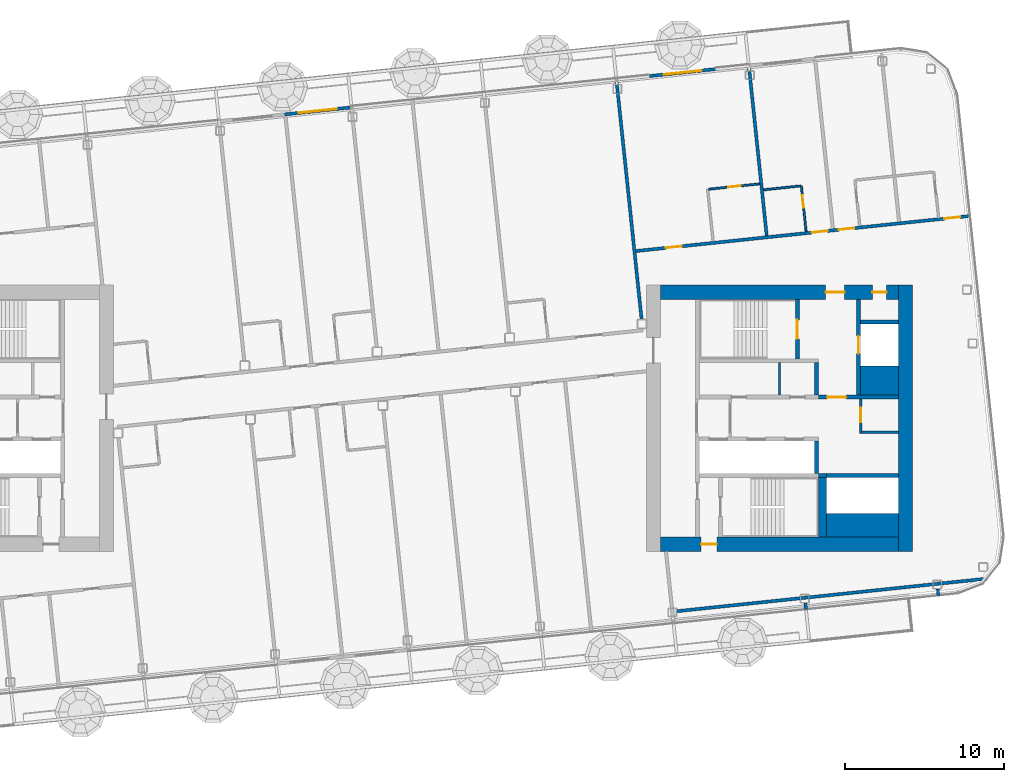
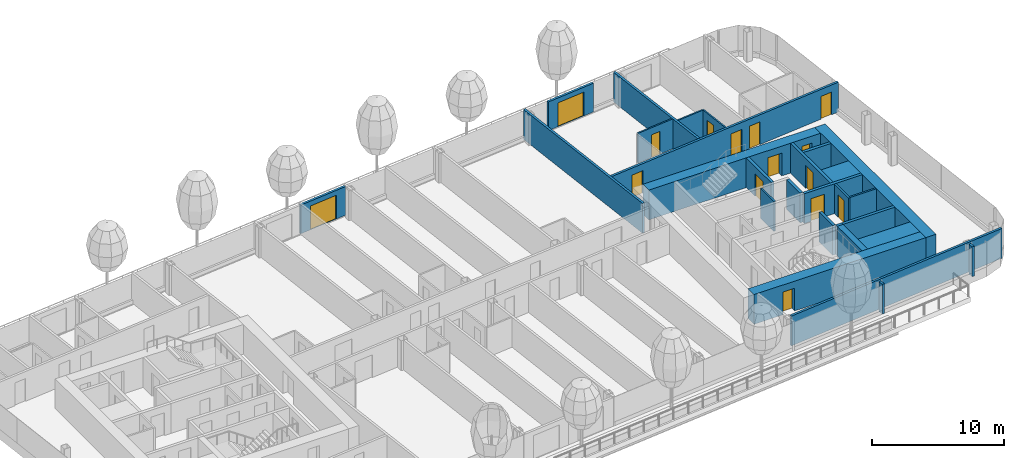
# One storey, part 16 of 30: 28 walls, 15 doors, 15 openings, 1 element without a shape of its own.
"""IFC4 building model written with IfcOpenShell, lengths in metres."""

from ifc_helpers import new_model, si_unit, direction, frame, frame_2d, origin, place, context, subcontext, project, spatial, rectangle, extrude, material, layer, layer_set, type_object, element, fill, aggregate, save


model = new_model("IFC4")

# Units and contexts
model_context = context("Model", 3, precision=1e-05, world=origin(), true_north=direction((0.0, 1.0)))
body_context = subcontext(model_context, "Body", "Model", "MODEL_VIEW")
ifc_project = project(units=[si_unit("LENGTHUNIT", "METRE"), si_unit("AREAUNIT", "SQUARE_METRE"), si_unit("VOLUMEUNIT", "CUBIC_METRE"), si_unit("PLANEANGLEUNIT", "RADIAN"), si_unit("MASSUNIT", "GRAM", prefix="KILO")], contexts=[model_context])

# Site, building, storey
site_placement = place(None, origin())
site = spatial("IfcSite", under=ifc_project, at=site_placement, CompositionType="ELEMENT")
building_placement = place(site_placement, origin())
building = spatial("IfcBuilding", under=site, at=building_placement, Name="Hakoniwa Tower and Hamabe Station Hall", CompositionType="ELEMENT")
storey_placement = place(building_placement, frame((0.0, 0.0, 245.39990234375)))
storey = spatial("IfcBuildingStorey", under=building, at=storey_placement, Name="L69", CompositionType="ELEMENT", Elevation=245.39990234375)

# Wall
ifc_material_1 = material(Name="Gypsum board partition", Category="gypsum")
ifc_layer_1 = layer(ifc_material_1, 0.125)
ifc_layer_set_1 = layer_set([ifc_layer_1], Name="Bathroom Partition 125")
wall_type_1 = type_object("IfcWallType", Name="Bathroom Partition 125", PredefinedType="PARTITIONING", material=ifc_layer_set_1)
wall_1_placement = place(storey_placement, frame((24.18798828125, 14.4052734375, 0.0), z_axis=(0.0, 0.0, 1.0), x_axis=(0.994530605544, 0.104445558238, 0.0)))
element("IfcWall", 1, at=wall_1_placement, inside=storey, type_object=wall_type_1, Name="GW-L69-014", PredefinedType="PARTITIONING", context=body_context, shape_type="SweptSolid", body=[
    extrude(rectangle(XDim=2.33740234375, YDim=0.125, at=frame_2d((1.168701171875, 0.0))), origin(), (0.0, 0.0, 1.0), 2.75),
])

# Wall, opening, door
wall_2_placement = place(storey_placement, frame((20.7275390625, 14.443603515625, 0.0), z_axis=(0.0, 0.0, 1.0), x_axis=(0.994522794159, 0.104519911488, 0.0)))
wall_2 = element("IfcWall", 2, at=wall_2_placement, inside=storey, type_object=wall_type_1, Name="GW-L69-016", PredefinedType="PARTITIONING", context=body_context, shape_type="SweptSolid", body=[
    extrude(rectangle(XDim=3.237548828125, YDim=0.125, at=frame_2d((1.61865234375, 0.0))), origin(), (0.0, 0.0, 1.0), 2.75),
])
opening_1_placement = place(wall_2_placement, frame((1.237548828125, 0.0, 0.0)))
opening_1 = element("IfcOpeningElement", 3, at=opening_1_placement, cuts=wall_2, Name="Opening GD-G5C0-23", PredefinedType="OPENING", context=body_context, shape_type="SweptSolid", body=[
    extrude(rectangle(XDim=0.800048828125, YDim=2.10009765625, at=frame_2d((0.39990234375, 1.050048828125))), frame((0.0, 0.072509765625, 0.0), z_axis=(0.0, -1.0, 0.0), x_axis=(1.0, 0.0, 0.0)), (0.0, 0.0, 1.0), 0.14501953125),
])
ifc_material_2 = material(Name="Timber door leaf", Category="wood")
door_type_1 = type_object("IfcDoorType", Name="Bathroom Door 800", OperationType="SINGLE_SWING_LEFT", PredefinedType="DOOR", material=ifc_material_2)
door_1_placement = place(opening_1_placement, origin())
door_1 = element("IfcDoor", 4, at=door_1_placement, inside=storey, type_object=door_type_1, Name="Door GD-G5C0-23", OperationType="SINGLE_SWING_RIGHT", OverallHeight=2.10009765625, OverallWidth=0.800048828125, PredefinedType="DOOR", context=body_context, shape_type="SweptSolid", body=[
    extrude(rectangle(XDim=0.800048828125, YDim=2.10009765625, at=frame_2d((0.39990234375, 1.050048828125))), frame((0.0, 0.02490234375, 0.0), z_axis=(0.0, -1.0, 0.0), x_axis=(1.0, 0.0, 0.0)), (0.0, 0.0, 1.0), 0.050048828125),
])
fill(opening_1, door_1)

wall_3_placement = place(storey_placement, frame((26.878173828125, 11.77197265625, 0.0), z_axis=(0.0, 0.0, 1.0), x_axis=(-0.104562076147, 0.994518361938, 0.0)))
wall_3 = element("IfcWall", 5, at=wall_3_placement, inside=storey, type_object=wall_type_1, Name="GW-L69-058", PredefinedType="PARTITIONING", context=body_context, shape_type="SweptSolid", body=[
    extrude(rectangle(XDim=2.89990234375, YDim=0.125, at=frame_2d((1.449951171875, 0.0))), origin(), (0.0, 0.0, 1.0), 2.75),
])
opening_2_placement = place(wall_3_placement, frame((1.5, 0.0, 0.0)))
opening_2 = element("IfcOpeningElement", 6, at=opening_2_placement, cuts=wall_3, Name="Opening GD-G5C0-40", PredefinedType="OPENING", context=body_context, shape_type="SweptSolid", body=[
    extrude(rectangle(XDim=0.800048828125, YDim=2.10009765625, at=frame_2d((0.39990234375, 1.050048828125))), frame((0.0, 0.072509765625, 0.0), z_axis=(0.0, -1.0, 0.0), x_axis=(1.0, 0.0, 0.0)), (0.0, 0.0, 1.0), 0.14501953125),
])
door_2_placement = place(opening_2_placement, origin())
door_2 = element("IfcDoor", 7, at=door_2_placement, inside=storey, type_object=door_type_1, Name="Door GD-G5C0-40", OperationType="SINGLE_SWING_LEFT", OverallHeight=2.10009765625, OverallWidth=0.800048828125, PredefinedType="DOOR", context=body_context, shape_type="SweptSolid", body=[
    extrude(rectangle(XDim=0.800048828125, YDim=2.10009765625, at=frame_2d((0.39990234375, 1.050048828125))), frame((0.0, 0.02490234375, 0.0), z_axis=(0.0, -1.0, 0.0), x_axis=(1.0, 0.0, 0.0)), (0.0, 0.0, 1.0), 0.050048828125),
])
fill(opening_2, door_2)

ifc_material_3 = material(Name="Gypsum board partition")
ifc_layer_2 = layer(ifc_material_3, 0.14990234375)
ifc_layer_set_2 = layer_set([ifc_layer_2], Name="CORE PARTITION 150 EI 60")
wall_type_2 = type_object("IfcWallType", Name="CORE PARTITION 150 EI 60", PredefinedType="PARTITIONING", material=ifc_layer_set_2)
wall_4_placement = place(storey_placement, frame((30.324951171875, -0.949951171875, 0.0), z_axis=(0.0, 0.0, 1.0), x_axis=(0.0, 1.0, 0.0)))
wall_4 = element("IfcWall", 8, at=wall_4_placement, inside=storey, type_object=wall_type_2, Name="Core partition PW0 east", PredefinedType="PARTITIONING", context=body_context, shape_type="SweptSolid", body=[
    extrude(rectangle(XDim=2.14990234375, YDim=0.14990234375, at=frame_2d((1.074951171875, 0.0))), origin(), (0.0, 0.0, 1.0), 2.75),
])
opening_3_placement = place(wall_4_placement, frame((0.699951171875, 0.0, 0.0)))
opening_3 = element("IfcOpeningElement", 9, at=opening_3_placement, cuts=wall_4, Name="Opening CD-E-RM1-9", PredefinedType="OPENING", context=body_context, shape_type="SweptSolid", body=[
    extrude(rectangle(XDim=0.89990234375, YDim=2.10009765625, at=frame_2d((0.449951171875, 1.050048828125))), frame((0.0, 0.0849609375, 0.0), z_axis=(0.0, -1.0, 0.0), x_axis=(1.0, 0.0, 0.0)), (0.0, 0.0, 1.0), 0.169921875),
])
ifc_material_4 = material(Name="Steel fire door", Category="steel")
door_type_2 = type_object("IfcDoorType", Name="CORE DOOR 900 FD30", OperationType="NOTDEFINED", PredefinedType="DOOR", material=ifc_material_4)
door_3_placement = place(opening_3_placement, origin())
door_3 = element("IfcDoor", 10, at=door_3_placement, inside=storey, type_object=door_type_2, Name="Store room door", OperationType="SINGLE_SWING_LEFT", OverallHeight=2.10009765625, OverallWidth=0.89990234375, PredefinedType="DOOR", context=body_context, shape_type="SweptSolid", body=[
    extrude(rectangle(XDim=0.89990234375, YDim=2.10009765625, at=frame_2d((0.449951171875, 1.050048828125))), frame((0.0, 0.02490234375, 0.0), z_axis=(0.0, -1.0, 0.0), x_axis=(1.0, 0.0, 0.0)), (0.0, 0.0, 1.0), 0.050048828125),
])
fill(opening_3, door_3)

# Walls
wall_5_placement = place(storey_placement, frame((30.39990234375, -0.875, 0.0), z_axis=(0.0, 0.0, 1.0), x_axis=(1.0, 0.0, 0.0)))
element("IfcWall", 11, at=wall_5_placement, inside=storey, type_object=wall_type_2, Name="Core partition PS east", PredefinedType="PARTITIONING", context=body_context, shape_type="SweptSolid", body=[
    extrude(rectangle(XDim=2.300048828125, YDim=0.14990234375, at=frame_2d((1.14990234375, 0.0))), origin(), (0.0, 0.0, 1.0), 2.75),
])
wall_6_placement = place(storey_placement, frame((25.199951171875, 1.449951171875, 0.0), z_axis=(0.0, 0.0, 1.0), x_axis=(0.0, 1.0, 0.0)))
element("IfcWall", 12, at=wall_6_placement, inside=storey, type_object=wall_type_2, Name="Core partition PFLR0 east", PredefinedType="PARTITIONING", context=body_context, shape_type="SweptSolid", body=[
    extrude(rectangle(XDim=2.050048828125, YDim=0.14990234375, at=frame_2d((1.02490234375, 0.0))), origin(), (0.0, 0.0, 1.0), 2.75),
])
ifc_material_5 = material(Name="Concrete C60", Category="concrete")
ifc_layer_3 = layer(ifc_material_5, 0.89990234375)
ifc_layer_set_3 = layer_set([ifc_layer_3], Name="CORE WALL 900 C60")
wall_type_3 = type_object("IfcWallType", Name="CORE WALL 900 C60", PredefinedType="SHEAR", material=ifc_layer_set_3)
wall_7_placement = place(storey_placement, frame((33.14990234375, -8.39990234375, 0.0), z_axis=(0.0, 0.0, 1.0), x_axis=(0.0, 1.0, 0.0)))
element("IfcWall", 13, at=wall_7_placement, inside=storey, type_object=wall_type_3, Name="Core wall OUTER east", PredefinedType="SHEAR", context=body_context, shape_type="SweptSolid", body=[
    extrude(rectangle(XDim=16.7998046875, YDim=0.89990234375, at=frame_2d((8.39990234375, 0.0))), origin(), (0.0, 0.0, 1.0), 2.75),
])

# Wall, openings, doors
wall_8_placement = place(storey_placement, frame((17.699951171875, 7.949951171875, 0.0), z_axis=(0.0, 0.0, 1.0), x_axis=(1.0, 0.0, 0.0)))
wall_8 = element("IfcWall", 14, at=wall_8_placement, inside=storey, type_object=wall_type_3, Name="Core wall NORTH east", PredefinedType="SHEAR", context=body_context, shape_type="SweptSolid", body=[
    extrude(rectangle(XDim=15.0, YDim=0.89990234375, at=frame_2d((7.5, 0.0))), origin(), (0.0, 0.0, 1.0), 2.75),
])
opening_4_placement = place(wall_8_placement, frame((10.39990234375, 0.0, 0.0)))
opening_4 = element("IfcOpeningElement", 15, at=opening_4_placement, cuts=wall_8, Name="Opening CD-E-FN1-12", PredefinedType="OPENING", context=body_context, shape_type="SweptSolid", body=[
    extrude(rectangle(XDim=1.199951171875, YDim=2.10009765625, at=frame_2d((0.60009765625, 1.050048828125))), frame((0.0, 0.4599609375, 0.0), z_axis=(0.0, -1.0, 0.0), x_axis=(1.0, 0.0, 0.0)), (0.0, 0.0, 1.0), 0.919921875),
])
opening_5_placement = place(wall_8_placement, frame((13.35009765625, 0.0, 0.0)))
opening_5 = element("IfcOpeningElement", 16, at=opening_5_placement, cuts=wall_8, Name="Opening CD-E-FN2-9", PredefinedType="OPENING", context=body_context, shape_type="SweptSolid", body=[
    extrude(rectangle(XDim=0.89990234375, YDim=2.10009765625, at=frame_2d((0.449951171875, 1.050048828125))), frame((0.0, 0.4599609375, 0.0), z_axis=(0.0, -1.0, 0.0), x_axis=(1.0, 0.0, 0.0)), (0.0, 0.0, 1.0), 0.919921875),
])
ifc_material_6 = material(Name="Steel fire door", Category="steel")
door_type_3 = type_object("IfcDoorType", Name="CORE DOOR 1200 FD60", OperationType="DOUBLE_DOOR_SINGLE_SWING", PredefinedType="DOOR", material=ifc_material_6)
door_4_placement = place(opening_4_placement, origin())
door_4 = element("IfcDoor", 17, at=door_4_placement, inside=storey, type_object=door_type_3, Name="Stair vestibule door to the fire-fighting lobby", OperationType="DOUBLE_DOOR_SINGLE_SWING", OverallHeight=2.10009765625, OverallWidth=1.199951171875, PredefinedType="DOOR", context=body_context, shape_type="SweptSolid", body=[
    extrude(rectangle(XDim=1.199951171875, YDim=2.10009765625, at=frame_2d((0.60009765625, 1.050048828125))), frame((0.0, 0.02490234375, 0.0), z_axis=(0.0, -1.0, 0.0), x_axis=(1.0, 0.0, 0.0)), (0.0, 0.0, 1.0), 0.050048828125),
])
fill(opening_4, door_4)
door_5_placement = place(opening_5_placement, origin())
door_5 = element("IfcDoor", 18, at=door_5_placement, inside=storey, type_object=door_type_2, Name="Riser access door", OperationType="SINGLE_SWING_RIGHT", OverallHeight=2.10009765625, OverallWidth=0.89990234375, PredefinedType="DOOR", context=body_context, shape_type="SweptSolid", body=[
    extrude(rectangle(XDim=0.89990234375, YDim=2.10009765625, at=frame_2d((0.449951171875, 1.050048828125))), frame((0.0, 0.02490234375, 0.0), z_axis=(0.0, -1.0, 0.0), x_axis=(1.0, 0.0, 0.0)), (0.0, 0.0, 1.0), 0.050048828125),
])
fill(opening_5, door_5)

# Wall, opening, door
wall_9_placement = place(storey_placement, frame((17.699951171875, -7.949951171875, 0.0), z_axis=(0.0, 0.0, 1.0), x_axis=(1.0, 0.0, 0.0)))
wall_9 = element("IfcWall", 19, at=wall_9_placement, inside=storey, type_object=wall_type_3, Name="Core wall SOUTH east", PredefinedType="SHEAR", context=body_context, shape_type="SweptSolid", body=[
    extrude(rectangle(XDim=15.0, YDim=0.89990234375, at=frame_2d((7.5, 0.0))), origin(), (0.0, 0.0, 1.0), 2.75),
])
opening_6_placement = place(wall_9_placement, frame((2.550048828125, 0.0, 0.0)))
opening_6 = element("IfcOpeningElement", 20, at=opening_6_placement, cuts=wall_9, Name="Opening CD-E-FS3-10", PredefinedType="OPENING", context=body_context, shape_type="SweptSolid", body=[
    extrude(rectangle(XDim=1.0, YDim=2.10009765625, at=frame_2d((0.5, 1.050048828125))), frame((0.0, 0.4599609375, 0.0), z_axis=(0.0, -1.0, 0.0), x_axis=(1.0, 0.0, 0.0)), (0.0, 0.0, 1.0), 0.919921875),
])
ifc_material_7 = material(Name="Steel fire door", Category="steel")
door_type_4 = type_object("IfcDoorType", Name="CORE DOOR 1000 FD60", OperationType="NOTDEFINED", PredefinedType="DOOR", material=ifc_material_7)
door_6_placement = place(opening_6_placement, origin())
door_6 = element("IfcDoor", 21, at=door_6_placement, inside=storey, type_object=door_type_4, Name="Stair vestibule door", OperationType="SINGLE_SWING_RIGHT", OverallHeight=2.10009765625, OverallWidth=1.0, PredefinedType="DOOR", context=body_context, shape_type="SweptSolid", body=[
    extrude(rectangle(XDim=1.0, YDim=2.10009765625, at=frame_2d((0.5, 1.050048828125))), frame((0.0, 0.02490234375, 0.0), z_axis=(0.0, -1.0, 0.0), x_axis=(1.0, 0.0, 0.0)), (0.0, 0.0, 1.0), 0.050048828125),
])
fill(opening_6, door_6)

# Walls
ifc_material_8 = material(Name="Concrete C60", Category="concrete")
ifc_layer_4 = layer(ifc_material_8, 1.5)
ifc_layer_set_4 = layer_set([ifc_layer_4], Name="CORE WEB WALL 1500 C60")
wall_type_4 = type_object("IfcWallType", Name="CORE WEB WALL 1500 C60", PredefinedType="SHEAR", material=ifc_layer_set_4)
wall_10_placement = place(storey_placement, frame((28.14990234375, -6.75, 0.0), z_axis=(0.0, 0.0, 1.0), x_axis=(1.0, 0.0, 0.0)))
element("IfcWall", 22, at=wall_10_placement, inside=storey, type_object=wall_type_4, Name="Core wall SER east", PredefinedType="SHEAR", context=body_context, shape_type="SweptSolid", body=[
    extrude(rectangle(XDim=4.550048828125, YDim=1.5, at=frame_2d((2.27490234375, 0.0))), origin(), (0.0, 0.0, 1.0), 2.75),
])
ifc_material_9 = material(Name="Concrete C60", Category="concrete")
ifc_layer_5 = layer(ifc_material_9, 1.85009765625)
ifc_layer_set_5 = layer_set([ifc_layer_5], Name="CORE WEB WALL 1850 C60")
wall_type_5 = type_object("IfcWallType", Name="CORE WEB WALL 1850 C60", PredefinedType="SHEAR", material=ifc_layer_set_5)
wall_11_placement = place(storey_placement, frame((30.300048828125, 2.375, 0.0), z_axis=(0.0, 0.0, 1.0), x_axis=(1.0, 0.0, 0.0)))
element("IfcWall", 23, at=wall_11_placement, inside=storey, type_object=wall_type_5, Name="Core wall CA east", PredefinedType="SHEAR", context=body_context, shape_type="SweptSolid", body=[
    extrude(rectangle(XDim=2.39990234375, YDim=1.85009765625, at=frame_2d((1.199951171875, 0.0))), origin(), (0.0, 0.0, 1.0), 2.75),
])
ifc_material_10 = material(Name="Concrete C60", Category="concrete")
ifc_layer_6 = layer(ifc_material_10, 0.25)
ifc_layer_set_6 = layer_set([ifc_layer_6], Name="CORE WEB WALL 250 C60")
wall_type_6 = type_object("IfcWallType", Name="CORE WEB WALL 250 C60", PredefinedType="SHEAR", material=ifc_layer_set_6)
wall_12_placement = place(storey_placement, frame((27.52490234375, 1.449951171875, 0.0), z_axis=(0.0, 0.0, 1.0), x_axis=(0.0, 1.0, 0.0)))
element("IfcWall", 24, at=wall_12_placement, inside=storey, type_object=wall_type_6, Name="Core wall NE east", PredefinedType="SHEAR", context=body_context, shape_type="SweptSolid", body=[
    extrude(rectangle(XDim=2.050048828125, YDim=0.25, at=frame_2d((1.02490234375, 0.0))), origin(), (0.0, 0.0, 1.0), 2.75),
])

# Wall, opening, door
wall_13_placement = place(storey_placement, frame((26.324951171875, 3.75, 0.0), z_axis=(0.0, 0.0, 1.0), x_axis=(0.0, 1.0, 0.0)))
wall_13 = element("IfcWall", 25, at=wall_13_placement, inside=storey, type_object=wall_type_6, Name="Core wall NSE east", PredefinedType="SHEAR", context=body_context, shape_type="SweptSolid", body=[
    extrude(rectangle(XDim=3.75, YDim=0.25, at=frame_2d((1.875, 0.0))), origin(), (0.0, 0.0, 1.0), 2.75),
])
opening_7_placement = place(wall_13_placement, frame((1.25, 0.0, 0.0)))
opening_7 = element("IfcOpeningElement", 26, at=opening_7_placement, cuts=wall_13, Name="Opening CD-E-SN-12", PredefinedType="OPENING", context=body_context, shape_type="SweptSolid", body=[
    extrude(rectangle(XDim=1.199951171875, YDim=2.10009765625, at=frame_2d((0.60009765625, 1.050048828125))), frame((0.0, 0.135009765625, 0.0), z_axis=(0.0, -1.0, 0.0), x_axis=(1.0, 0.0, 0.0)), (0.0, 0.0, 1.0), 0.27001953125),
])
door_7_placement = place(opening_7_placement, origin())
door_7 = element("IfcDoor", 27, at=door_7_placement, inside=storey, type_object=door_type_3, Name="Escape stair door", OperationType="DOUBLE_DOOR_SINGLE_SWING", OverallHeight=2.10009765625, OverallWidth=1.199951171875, PredefinedType="DOOR", context=body_context, shape_type="SweptSolid", body=[
    extrude(rectangle(XDim=1.199951171875, YDim=2.10009765625, at=frame_2d((0.60009765625, 1.050048828125))), frame((0.0, 0.02490234375, 0.0), z_axis=(0.0, -1.0, 0.0), x_axis=(1.0, 0.0, 0.0)), (0.0, 0.0, 1.0), 0.050048828125),
])
fill(opening_7, door_7)

wall_14_placement = place(storey_placement, frame((27.64990234375, 1.324951171875, 0.0), z_axis=(0.0, 0.0, 1.0), x_axis=(1.0, 0.0, 0.0)))
wall_14 = element("IfcWall", 28, at=wall_14_placement, inside=storey, type_object=wall_type_6, Name="Core wall ELN east", PredefinedType="SHEAR", context=body_context, shape_type="SweptSolid", body=[
    extrude(rectangle(XDim=5.050048828125, YDim=0.25, at=frame_2d((2.52490234375, 0.0))), origin(), (0.0, 0.0, 1.0), 2.75),
])
opening_8_placement = place(wall_14_placement, frame((0.550048828125, 0.0, 0.0)))
opening_8 = element("IfcOpeningElement", 29, at=opening_8_placement, cuts=wall_14, Name="Opening CD-E-FL-12", PredefinedType="OPENING", context=body_context, shape_type="SweptSolid", body=[
    extrude(rectangle(XDim=1.199951171875, YDim=2.10009765625, at=frame_2d((0.60009765625, 1.050048828125))), frame((0.0, 0.135009765625, 0.0), z_axis=(0.0, -1.0, 0.0), x_axis=(1.0, 0.0, 0.0)), (0.0, 0.0, 1.0), 0.27001953125),
])
door_8_placement = place(opening_8_placement, origin())
door_8 = element("IfcDoor", 30, at=door_8_placement, inside=storey, type_object=door_type_3, Name="Stair vestibule door to the fire-fighting lobby", OperationType="DOUBLE_DOOR_SINGLE_SWING", OverallHeight=2.10009765625, OverallWidth=1.199951171875, PredefinedType="DOOR", context=body_context, shape_type="SweptSolid", body=[
    extrude(rectangle(XDim=1.199951171875, YDim=2.10009765625, at=frame_2d((0.60009765625, 1.050048828125))), frame((0.0, 0.02490234375, 0.0), z_axis=(0.0, -1.0, 0.0), x_axis=(1.0, 0.0, 0.0)), (0.0, 0.0, 1.0), 0.050048828125),
])
fill(opening_8, door_8)

wall_15_placement = place(storey_placement, frame((30.175048828125, 1.449951171875, 0.0), z_axis=(0.0, 0.0, 1.0), x_axis=(0.0, 1.0, 0.0)))
wall_15 = element("IfcWall", 31, at=wall_15_placement, inside=storey, type_object=wall_type_6, Name="Core wall FFF east", PredefinedType="SHEAR", context=body_context, shape_type="SweptSolid", body=[
    extrude(rectangle(XDim=6.050048828125, YDim=0.25, at=frame_2d((3.02490234375, 0.0))), origin(), (0.0, 0.0, 1.0), 2.75),
])
opening_9_placement = place(wall_15_placement, frame((2.625, 0.0, 0.0)))
opening_9 = element("IfcOpeningElement", 32, at=opening_9_placement, cuts=wall_15, Name="Opening LD-FF2", PredefinedType="OPENING", context=body_context, shape_type="SweptSolid", body=[
    extrude(rectangle(XDim=1.10009765625, YDim=2.10009765625, at=frame_2d((0.550048828125, 1.050048828125))), frame((0.0, 0.135009765625, 0.0), z_axis=(0.0, -1.0, 0.0), x_axis=(1.0, 0.0, 0.0)), (0.0, 0.0, 1.0), 0.27001953125),
])
ifc_material_11 = material(Name="Stainless steel SUS304", Category="steel")
door_type_5 = type_object("IfcDoorType", Name="LIFT LANDING DOOR 1100 FD60", OperationType="DOUBLE_DOOR_SLIDING", PredefinedType="DOOR", material=ifc_material_11)
door_9_placement = place(opening_9_placement, origin())
door_9 = element("IfcDoor", 33, at=door_9_placement, inside=storey, type_object=door_type_5, Name="Lift landing door FF2 L69", OperationType="DOUBLE_DOOR_SLIDING", OverallHeight=2.10009765625, OverallWidth=1.10009765625, PredefinedType="DOOR", context=body_context, shape_type="SweptSolid", body=[
    extrude(rectangle(XDim=1.10009765625, YDim=2.10009765625, at=frame_2d((0.550048828125, 1.050048828125))), frame((0.0, 0.02490234375, 0.0), z_axis=(0.0, -1.0, 0.0), x_axis=(1.0, 0.0, 0.0)), (0.0, 0.0, 1.0), 0.050048828125),
])
fill(opening_9, door_9)

# Walls
wall_16_placement = place(storey_placement, frame((30.300048828125, 6.074951171875, 0.0), z_axis=(0.0, 0.0, 1.0), x_axis=(1.0, 0.0, 0.0)))
element("IfcWall", 34, at=wall_16_placement, inside=storey, type_object=wall_type_6, Name="Core wall C2 east", PredefinedType="SHEAR", context=body_context, shape_type="SweptSolid", body=[
    extrude(rectangle(XDim=2.39990234375, YDim=0.25, at=frame_2d((1.199951171875, 0.0))), origin(), (0.0, 0.0, 1.0), 2.75),
])
wall_17_placement = place(storey_placement, frame((27.52490234375, -3.5, 0.0), z_axis=(0.0, 0.0, 1.0), x_axis=(0.0, 1.0, 0.0)))
element("IfcWall", 35, at=wall_17_placement, inside=storey, type_object=wall_type_6, Name="Core wall SE east", PredefinedType="SHEAR", context=body_context, shape_type="SweptSolid", body=[
    extrude(rectangle(XDim=2.050048828125, YDim=0.25, at=frame_2d((1.02490234375, 0.0))), origin(), (0.0, 0.0, 1.0), 2.75),
])
wall_18_placement = place(storey_placement, frame((28.14990234375, -3.625, 0.0), z_axis=(0.0, 0.0, 1.0), x_axis=(1.0, 0.0, 0.0)))
element("IfcWall", 36, at=wall_18_placement, inside=storey, type_object=wall_type_6, Name="Core wall SEF east", PredefinedType="SHEAR", context=body_context, shape_type="SweptSolid", body=[
    extrude(rectangle(XDim=4.550048828125, YDim=0.25, at=frame_2d((2.27490234375, 0.0))), origin(), (0.0, 0.0, 1.0), 2.75),
])
wall_19_placement = place(storey_placement, frame((27.64990234375, -3.625, 0.0), z_axis=(0.0, 0.0, 1.0), x_axis=(1.0, 0.0, 0.0)))
element("IfcWall", 37, at=wall_19_placement, inside=storey, type_object=wall_type_6, Name="Core wall SRK east", PredefinedType="SHEAR", context=body_context, shape_type="SweptSolid", body=[
    extrude(rectangle(XDim=0.5, YDim=0.25, at=frame_2d((0.25, 0.0))), origin(), (0.0, 0.0, 1.0), 2.75),
])
ifc_material_12 = material(Name="Concrete C60", Category="concrete")
ifc_layer_7 = layer(ifc_material_12, 0.5)
ifc_layer_set_7 = layer_set([ifc_layer_7], Name="CORE WEB WALL 500 C60")
wall_type_7 = type_object("IfcWallType", Name="CORE WEB WALL 500 C60", PredefinedType="SHEAR", material=ifc_layer_set_7)
wall_20_placement = place(storey_placement, frame((27.89990234375, -7.5, 0.0), z_axis=(0.0, 0.0, 1.0), x_axis=(0.0, 1.0, 0.0)))
element("IfcWall", 38, at=wall_20_placement, inside=storey, type_object=wall_type_7, Name="Core wall SSE east", PredefinedType="SHEAR", context=body_context, shape_type="SweptSolid", body=[
    extrude(rectangle(XDim=3.75, YDim=0.5, at=frame_2d((1.875, 0.0))), origin(), (0.0, 0.0, 1.0), 2.75),
])
ifc_material_13 = material(Name="Fire-rated gypsum board partition", Category="gypsum")
ifc_layer_8 = layer(ifc_material_13, 0.199951171875)
ifc_layer_set_8 = layer_set([ifc_layer_8], Name="Corridor Wall 200")
wall_type_8 = type_object("IfcWallType", Name="Corridor Wall 200", PredefinedType="PARTITIONING", material=ifc_layer_set_8)
wall_21_placement = place(storey_placement, frame((18.708251953125, -12.17724609375, 0.0), z_axis=(0.0, 0.0, 1.0), x_axis=(0.994521604238, 0.104531233147, 0.0)))
element("IfcWall", 39, at=wall_21_placement, inside=storey, type_object=wall_type_8, Name="GW-L69-001", PredefinedType="PARTITIONING", context=body_context, shape_type="SweptSolid", body=[
    extrude(rectangle(XDim=19.6982421875, YDim=0.199951171875, at=frame_2d((9.84912109375, 0.0))), origin(), (0.0, 0.0, 1.0), 2.75),
])

# Wall, openings, doors
wall_22_placement = place(storey_placement, frame((16.04833984375, 10.533203125, 0.0), z_axis=(0.0, 0.0, 1.0), x_axis=(0.994522460242, 0.104523088709, 0.0)))
wall_22 = element("IfcWall", 40, at=wall_22_placement, inside=storey, type_object=wall_type_8, Name="GW-L69-013", PredefinedType="PARTITIONING", context=body_context, shape_type="SweptSolid", body=[
    extrude(rectangle(XDim=21.2998046875, YDim=0.199951171875, at=frame_2d((10.64990234375, 0.0))), origin(), (0.0, 0.0, 1.0), 2.75),
])
opening_10_placement = place(wall_22_placement, frame((2.0, 0.0, 0.0)))
opening_10 = element("IfcOpeningElement", 41, at=opening_10_placement, cuts=wall_22, Name="Opening GD-G5C0-19", PredefinedType="OPENING", context=body_context, shape_type="SweptSolid", body=[
    extrude(rectangle(XDim=1.0, YDim=2.10009765625, at=frame_2d((0.5, 1.050048828125))), frame((0.0, 0.10986328125, 0.0), z_axis=(0.0, -1.0, 0.0), x_axis=(1.0, 0.0, 0.0)), (0.0, 0.0, 1.0), 0.219970703125),
])
opening_11_placement = place(wall_22_placement, frame((11.25, 0.0, 0.0)))
opening_11 = element("IfcOpeningElement", 42, at=opening_11_placement, cuts=wall_22, Name="Opening GD-G5C0-20", PredefinedType="OPENING", context=body_context, shape_type="SweptSolid", body=[
    extrude(rectangle(XDim=1.0, YDim=2.10009765625, at=frame_2d((0.5, 1.050048828125))), frame((0.0, 0.10986328125, 0.0), z_axis=(0.0, -1.0, 0.0), x_axis=(1.0, 0.0, 0.0)), (0.0, 0.0, 1.0), 0.219970703125),
])
opening_12_placement = place(wall_22_placement, frame((12.949951171875, 0.0, 0.0)))
opening_12 = element("IfcOpeningElement", 43, at=opening_12_placement, cuts=wall_22, Name="Opening GD-G5C0-21", PredefinedType="OPENING", context=body_context, shape_type="SweptSolid", body=[
    extrude(rectangle(XDim=1.0, YDim=2.10009765625, at=frame_2d((0.5, 1.050048828125))), frame((0.0, 0.10986328125, 0.0), z_axis=(0.0, -1.0, 0.0), x_axis=(1.0, 0.0, 0.0)), (0.0, 0.0, 1.0), 0.219970703125),
])
opening_13_placement = place(wall_22_placement, frame((19.64990234375, 0.0, 0.0)))
opening_13 = element("IfcOpeningElement", 44, at=opening_13_placement, cuts=wall_22, Name="Opening GD-G5C0-22", PredefinedType="OPENING", context=body_context, shape_type="SweptSolid", body=[
    extrude(rectangle(XDim=1.0, YDim=2.10009765625, at=frame_2d((0.5, 1.050048828125))), frame((0.0, 0.10986328125, 0.0), z_axis=(0.0, -1.0, 0.0), x_axis=(1.0, 0.0, 0.0)), (0.0, 0.0, 1.0), 0.219970703125),
])
ifc_material_14 = material(Name="Timber door leaf", Category="wood")
door_type_6 = type_object("IfcDoorType", Name="Guest Entrance Door 1000", OperationType="SINGLE_SWING_LEFT", PredefinedType="DOOR", material=ifc_material_14)
door_10_placement = place(opening_10_placement, origin())
door_10 = element("IfcDoor", 45, at=door_10_placement, inside=storey, type_object=door_type_6, Name="Door GD-G5C0-19", OperationType="SINGLE_SWING_RIGHT", OverallHeight=2.10009765625, OverallWidth=1.0, PredefinedType="DOOR", context=body_context, shape_type="SweptSolid", body=[
    extrude(rectangle(XDim=1.0, YDim=2.10009765625, at=frame_2d((0.5, 1.050048828125))), frame((0.0, 0.02490234375, 0.0), z_axis=(0.0, -1.0, 0.0), x_axis=(1.0, 0.0, 0.0)), (0.0, 0.0, 1.0), 0.050048828125),
])
fill(opening_10, door_10)
door_11_placement = place(opening_11_placement, origin())
door_11 = element("IfcDoor", 46, at=door_11_placement, inside=storey, type_object=door_type_6, Name="Door GD-G5C0-20", OperationType="SINGLE_SWING_RIGHT", OverallHeight=2.10009765625, OverallWidth=1.0, PredefinedType="DOOR", context=body_context, shape_type="SweptSolid", body=[
    extrude(rectangle(XDim=1.0, YDim=2.10009765625, at=frame_2d((0.5, 1.050048828125))), frame((0.0, 0.02490234375, 0.0), z_axis=(0.0, -1.0, 0.0), x_axis=(1.0, 0.0, 0.0)), (0.0, 0.0, 1.0), 0.050048828125),
])
fill(opening_11, door_11)
door_12_placement = place(opening_12_placement, origin())
door_12 = element("IfcDoor", 47, at=door_12_placement, inside=storey, type_object=door_type_6, Name="Door GD-G5C0-21", OperationType="SINGLE_SWING_LEFT", OverallHeight=2.10009765625, OverallWidth=1.0, PredefinedType="DOOR", context=body_context, shape_type="SweptSolid", body=[
    extrude(rectangle(XDim=1.0, YDim=2.10009765625, at=frame_2d((0.5, 1.050048828125))), frame((0.0, 0.02490234375, 0.0), z_axis=(0.0, -1.0, 0.0), x_axis=(1.0, 0.0, 0.0)), (0.0, 0.0, 1.0), 0.050048828125),
])
fill(opening_12, door_12)
door_13_placement = place(opening_13_placement, origin())
door_13 = element("IfcDoor", 48, at=door_13_placement, inside=storey, type_object=door_type_6, Name="Door GD-G5C0-22", OperationType="SINGLE_SWING_RIGHT", OverallHeight=2.10009765625, OverallWidth=1.0, PredefinedType="DOOR", context=body_context, shape_type="SweptSolid", body=[
    extrude(rectangle(XDim=1.0, YDim=2.10009765625, at=frame_2d((0.5, 1.050048828125))), frame((0.0, 0.02490234375, 0.0), z_axis=(0.0, -1.0, 0.0), x_axis=(1.0, 0.0, 0.0)), (0.0, 0.0, 1.0), 0.050048828125),
])
fill(opening_13, door_13)

# Curtain wall, walls, openings, doors
ifc_material_15 = material(Name="Dark low-e laminated glass", Category="glass")
ifc_layer_9 = layer(ifc_material_15, 0.199951171875)
ifc_layer_set_9 = layer_set([ifc_layer_9], Name="CW-1 UNITISED GUEST")
curtain_wall_type = type_object("IfcCurtainWallType", Name="CW-1 UNITISED GUEST", PredefinedType="NOTDEFINED", material=ifc_layer_set_9)
curtain_wall_placement = place(storey_placement, origin())
curtain_wall = element("IfcCurtainWall", 49, at=curtain_wall_placement, inside=storey, type_object=curtain_wall_type, Name="CW-1 curtain wall", PredefinedType="NOTDEFINED")
ifc_material_16 = material(Name="Dark glass-faced aluminium panel", Category="aluminium")
ifc_layer_10 = layer(ifc_material_16, 0.199951171875)
ifc_layer_set_10 = layer_set([ifc_layer_10], Name="DOOR BAY WALL")
wall_type_9 = type_object("IfcWallType", Name="DOOR BAY WALL", PredefinedType="NOTDEFINED", material=ifc_layer_set_10)
wall_23_placement = place(storey_placement, frame((21.185546875, 22.021484375, 0.0), z_axis=(0.0, 0.0, 1.0), x_axis=(-0.994520342386, -0.104543237853, 0.0)))
wall_23 = element("IfcWall", 50, at=wall_23_placement, type_object=wall_type_9, Name="Door bay wall", PredefinedType="NOTDEFINED", context=body_context, shape_type="SweptSolid", body=[
    extrude(rectangle(XDim=4.219970703125, YDim=0.199951171875, at=frame_2d((2.10986328125, 0.0))), origin(), (0.0, 0.0, 1.0), 2.650146484375),
])
opening_14_placement = place(wall_23_placement, frame((0.909912109375, 0.0, 0.0)))
opening_14 = element("IfcOpeningElement", 51, at=opening_14_placement, cuts=wall_23, Name="Opening BD-N03-5", PredefinedType="OPENING", context=body_context, shape_type="SweptSolid", body=[
    extrude(rectangle(XDim=2.39990234375, YDim=2.199951171875, at=frame_2d((1.199951171875, 1.10009765625))), frame((0.0, 0.10986328125, 0.0), z_axis=(0.0, -1.0, 0.0), x_axis=(1.0, 0.0, 0.0)), (0.0, 0.0, 1.0), 0.219970703125),
])
ifc_material_17 = material(Name="Dark low-e laminated glass", Category="glass")
door_type_7 = type_object("IfcDoorType", Name="BALCONY SLIDING DOOR 2400X2200", OperationType="SLIDING_TO_LEFT", PredefinedType="DOOR", material=ifc_material_17)
door_14_placement = place(opening_14_placement, frame((2.39990234375, 0.0, 0.0), z_axis=(0.0, 0.0, 1.0), x_axis=(-1.0, 0.0, 0.0)))
door_14 = element("IfcDoor", 52, at=door_14_placement, inside=storey, type_object=door_type_7, Name="Balcony sliding door", OperationType="SLIDING_TO_LEFT", OverallHeight=2.199951171875, OverallWidth=2.39990234375, PredefinedType="DOOR", context=body_context, shape_type="SweptSolid", body=[
    extrude(rectangle(XDim=2.39990234375, YDim=2.199951171875, at=frame_2d((1.199951171875, 1.10009765625))), frame((0.0, 0.02490234375, 0.0), z_axis=(0.0, -1.0, 0.0), x_axis=(1.0, 0.0, 0.0)), (0.0, 0.0, 1.0), 0.050048828125),
])
fill(opening_14, door_14)
wall_24_placement = place(storey_placement, frame((-1.81787109375, 19.603759765625, 0.0), z_axis=(0.0, 0.0, 1.0), x_axis=(-0.994520342386, -0.104543237853, 0.0)))
wall_24 = element("IfcWall", 53, at=wall_24_placement, type_object=wall_type_9, Name="Door bay wall", PredefinedType="NOTDEFINED", context=body_context, shape_type="SweptSolid", body=[
    extrude(rectangle(XDim=4.219970703125, YDim=0.199951171875, at=frame_2d((2.10986328125, 0.0))), origin(), (0.0, 0.0, 1.0), 2.650146484375),
])
opening_15_placement = place(wall_24_placement, frame((0.909912109375, 0.0, 0.0)))
opening_15 = element("IfcOpeningElement", 54, at=opening_15_placement, cuts=wall_24, Name="Opening BD-N03-2", PredefinedType="OPENING", context=body_context, shape_type="SweptSolid", body=[
    extrude(rectangle(XDim=2.39990234375, YDim=2.199951171875, at=frame_2d((1.199951171875, 1.10009765625))), frame((0.0, 0.10986328125, 0.0), z_axis=(0.0, -1.0, 0.0), x_axis=(1.0, 0.0, 0.0)), (0.0, 0.0, 1.0), 0.219970703125),
])
door_15_placement = place(opening_15_placement, frame((2.39990234375, 0.0, 0.0), z_axis=(0.0, 0.0, 1.0), x_axis=(-1.0, 0.0, 0.0)))
door_15 = element("IfcDoor", 55, at=door_15_placement, inside=storey, type_object=door_type_7, Name="Balcony sliding door", OperationType="SLIDING_TO_LEFT", OverallHeight=2.199951171875, OverallWidth=2.39990234375, PredefinedType="DOOR", context=body_context, shape_type="SweptSolid", body=[
    extrude(rectangle(XDim=2.39990234375, YDim=2.199951171875, at=frame_2d((1.199951171875, 1.10009765625))), frame((0.0, 0.02490234375, 0.0), z_axis=(0.0, -1.0, 0.0), x_axis=(1.0, 0.0, 0.0)), (0.0, 0.0, 1.0), 0.050048828125),
])
fill(opening_15, door_15)
aggregate(curtain_wall, [wall_23, wall_24])

# Walls
ifc_material_18 = material(Name="Fire-rated gypsum board partition", Category="gypsum")
ifc_layer_11 = layer(ifc_material_18, 0.199951171875)
ifc_layer_set_11 = layer_set([ifc_layer_11], Name="Party Wall 200")
wall_type_10 = type_object("IfcWallType", Name="Party Wall 200", PredefinedType="PARTITIONING", material=ifc_layer_set_11)
wall_25_placement = place(storey_placement, frame((16.499755859375, 6.23681640625, 0.0), z_axis=(0.0, 0.0, 1.0), x_axis=(-0.104523729364, 0.99452239291, 0.0)))
element("IfcWall", 56, at=wall_25_placement, inside=storey, type_object=wall_type_10, Name="GW-L69-054", PredefinedType="PARTITIONING", context=body_context, shape_type="SweptSolid", body=[
    extrude(rectangle(XDim=15.308349609375, YDim=0.199951171875, at=frame_2d((7.654296875, 0.0))), origin(), (0.0, 0.0, 1.0), 2.75),
])
wall_26_placement = place(storey_placement, frame((26.870361328125, -12.071044921875, 0.0), z_axis=(0.0, 0.0, 1.0), x_axis=(-0.104743412259, 0.994499279833, 0.0)))
element("IfcWall", 57, at=wall_26_placement, inside=storey, type_object=wall_type_10, Name="GW-L69-056", PredefinedType="PARTITIONING", context=body_context, shape_type="SweptSolid", body=[
    extrude(rectangle(XDim=0.43359375, YDim=0.199951171875, at=frame_2d((0.216796875, 0.0))), origin(), (0.0, 0.0, 1.0), 2.75),
])
wall_27_placement = place(storey_placement, frame((24.391845703125, 11.510498046875, 0.0), z_axis=(0.0, 0.0, 1.0), x_axis=(-0.104530717431, 0.994521658444, 0.0)))
element("IfcWall", 58, at=wall_27_placement, inside=storey, type_object=wall_type_10, Name="GW-L69-057", PredefinedType="PARTITIONING", context=body_context, shape_type="SweptSolid", body=[
    extrude(rectangle(XDim=10.888427734375, YDim=0.199951171875, at=frame_2d((5.4443359375, 0.0))), origin(), (0.0, 0.0, 1.0), 2.75),
])
wall_28_placement = place(storey_placement, frame((35.224365234375, -11.193115234375, 0.0), z_axis=(0.0, 0.0, 1.0), x_axis=(-0.104743412259, 0.994499279833, 0.0)))
element("IfcWall", 59, at=wall_28_placement, inside=storey, type_object=wall_type_10, Name="GW-L69-061", PredefinedType="PARTITIONING", context=body_context, shape_type="SweptSolid", body=[
    extrude(rectangle(XDim=0.43359375, YDim=0.199951171875, at=frame_2d((0.216796875, 0.0))), origin(), (0.0, 0.0, 1.0), 2.75),
])

save(model, "model.ifc")
